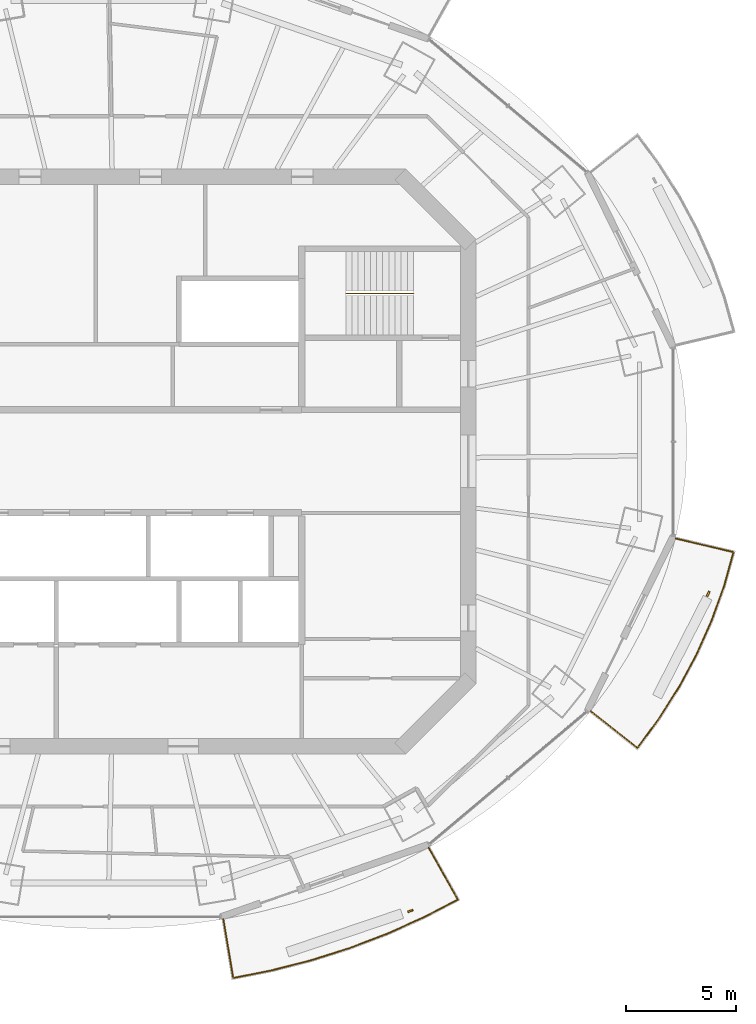
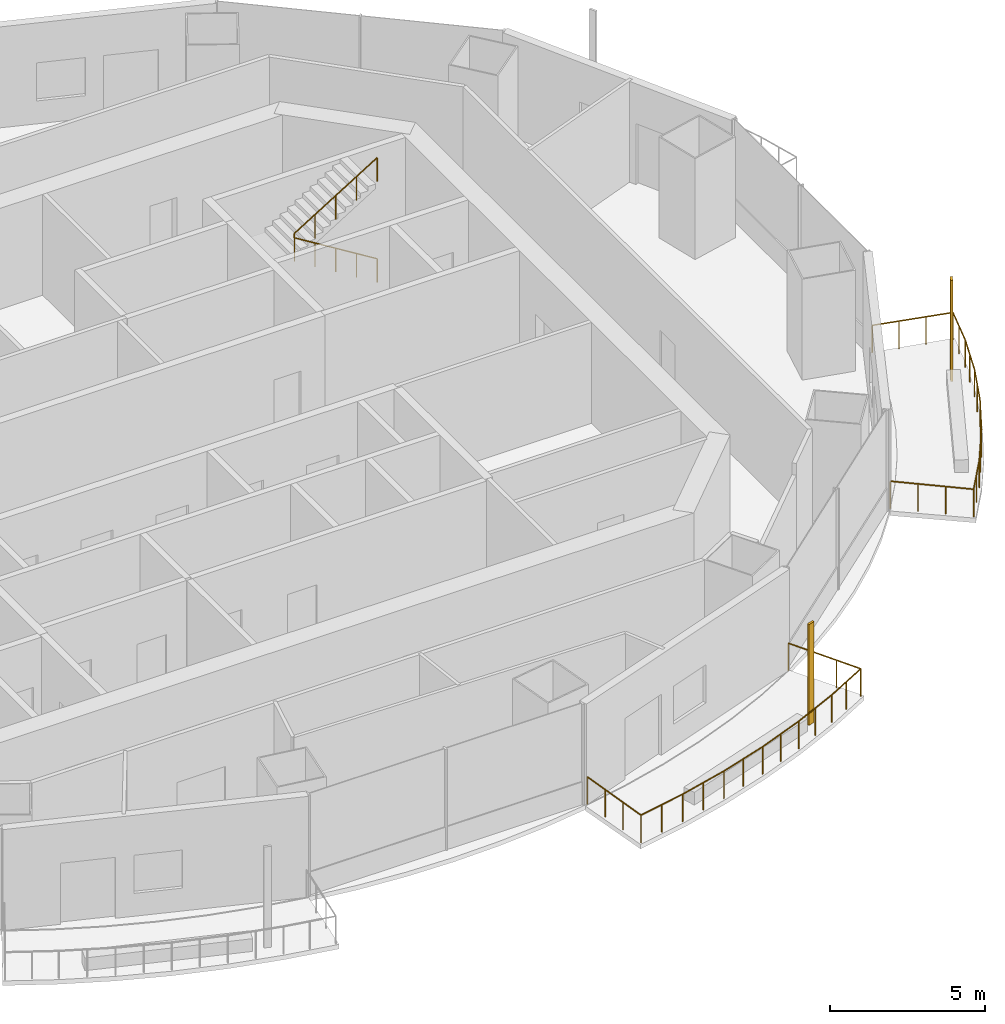
# One storey, part 13 of 16: 3 railings, 2 shading devices.
"""IFC4 building model written with IfcOpenShell, lengths in metres."""

from ifc_helpers import new_model, si_unit, direction, frame, origin, origin_2d, place, context, subcontext, project, spatial, rectangle, circle, extrude, material, material_profile, profile_set, type_object, element, save


model = new_model("IFC4")

# Units and contexts
model_context = context("Model", 3, precision=1e-05, world=origin(), true_north=direction((0.0, 1.0)))
body_context = subcontext(model_context, "Body", "Model", "MODEL_VIEW")
ifc_project = project(units=[si_unit("LENGTHUNIT", "METRE"), si_unit("AREAUNIT", "SQUARE_METRE"), si_unit("VOLUMEUNIT", "CUBIC_METRE"), si_unit("PLANEANGLEUNIT", "RADIAN"), si_unit("MASSUNIT", "GRAM", prefix="KILO")], contexts=[model_context])

# Site, building, storey
site_placement = place(None, origin())
site = spatial("IfcSite", under=ifc_project, at=site_placement, CompositionType="ELEMENT")
building_placement = place(site_placement, origin())
building = spatial("IfcBuilding", under=site, at=building_placement, Name="Marenthal Gate Tower", CompositionType="ELEMENT")
storey_placement = place(building_placement, frame((0.0, 0.0, 363.35009765625)))
storey = spatial("IfcBuildingStorey", under=building, at=storey_placement, Name="L82", CompositionType="ELEMENT", Elevation=363.35009765625)

# Railings
ifc_material_1 = material(Name="Stainless steel", Category="steel")
railing_type_1 = type_object("IfcRailingType", Name="Balcony guard 1100", PredefinedType="GUARDRAIL", material=ifc_material_1)
railing_1_placement = place(storey_placement, frame((14.18896484375, -17.62353515625, 0.0)))
element("IfcRailing", 1, at=railing_1_placement, inside=storey, type_object=railing_type_1, Name="Balcony guard L82 bay 13", PredefinedType="GUARDRAIL", context=body_context, shape_type="SweptSolid", body=[
    extrude(circle(Radius=0.02392578125, at=origin_2d()), frame((0.0, 0.0, 1.076171875), z_axis=(0.490915294113, -0.871082969774, -0.014718484138), x_axis=(0.871177338103, 0.490968477171, 0.0)), (0.0, 0.0, 1.0), 2.72021484375),
    extrude(circle(Radius=0.02392578125, at=origin_2d()), frame((1.33544921875, -2.36962890625, 1.0361328125), z_axis=(-0.886366910687, -0.462983476637, 0.0), x_axis=(0.462983476637, -0.886366910687, 0.0)), (0.0, 0.0, 1.0), 1.738525390625),
    extrude(circle(Radius=0.02392578125, at=origin_2d()), frame((-0.20556640625, -3.174560546875, 1.0361328125), z_axis=(-0.911781695063, -0.410675225146, 0.0), x_axis=(0.410675225146, -0.911781695063, 0.0)), (0.0, 0.0, 1.0), 1.830322265625),
    extrude(circle(Radius=0.02392578125, at=origin_2d()), frame((-1.87451171875, -3.92626953125, 1.0361328125), z_axis=(-0.934231239104, -0.35666790139, 0.0), x_axis=(0.35666790139, -0.934231239104, 0.0)), (0.0, 0.0, 1.0), 1.84130859375),
    extrude(circle(Radius=0.02392578125, at=origin_2d()), frame((-3.5947265625, -4.5830078125, 1.0361328125), z_axis=(-0.953211172176, -0.30230524514, 0.0), x_axis=(0.30230524514, -0.953211172176, 0.0)), (0.0, 0.0, 1.0), 1.85107421875),
    extrude(circle(Radius=0.02392578125, at=origin_2d()), frame((-5.359130859375, -5.142578125, 1.0361328125), z_axis=(-0.968846683281, -0.247661269269, 0.0), x_axis=(0.247661269269, -0.968846683281, 0.0)), (0.0, 0.0, 1.0), 1.859130859375),
    extrude(circle(Radius=0.02392578125, at=origin_2d()), frame((-7.160400390625, -5.60302734375, 1.0361328125), z_axis=(-0.981009399429, -0.193960197546, 0.0), x_axis=(0.193960197546, -0.981009399429, 0.0)), (0.0, 0.0, 1.0), 1.7861328125),
    extrude(circle(Radius=0.02392578125, at=origin_2d()), frame((-8.91259765625, -5.949462890625, 1.0361328125), z_axis=(-0.165414456926, 0.986114290962, 0.01471946334), x_axis=(-0.986221135368, -0.165432379401, 0.0)), (0.0, 0.0, 1.0), 2.72021484375),
    extrude(circle(Radius=0.02099609375, at=origin_2d()), origin(), (0.0, 0.0, 1.0), 1.052001953125),
    extrude(circle(Radius=0.02099609375, at=origin_2d()), frame((0.445068359375, -0.789794921875, -0.013427734375)), (0.0, 0.0, 1.0), 1.052001953125),
    extrude(circle(Radius=0.02099609375, at=origin_2d()), frame((0.890380859375, -1.579833984375, -0.026611328125)), (0.0, 0.0, 1.0), 1.052001953125),
    extrude(circle(Radius=0.02099609375, at=origin_2d()), frame((1.33544921875, -2.36962890625, -0.0400390625)), (0.0, 0.0, 1.0), 1.052001953125),
    extrude(circle(Radius=0.02099609375, at=origin_2d()), frame((0.56494140625, -2.77197265625, -0.0400390625)), (0.0, 0.0, 1.0), 1.052001953125),
    extrude(circle(Radius=0.02099609375, at=origin_2d()), frame((-0.20556640625, -3.174560546875, -0.0400390625)), (0.0, 0.0, 1.0), 1.052001953125),
    extrude(circle(Radius=0.02099609375, at=origin_2d()), frame((-1.0400390625, -3.55029296875, -0.0400390625)), (0.0, 0.0, 1.0), 1.052001953125),
    extrude(circle(Radius=0.02099609375, at=origin_2d()), frame((-1.87451171875, -3.92626953125, -0.0400390625)), (0.0, 0.0, 1.0), 1.052001953125),
    extrude(circle(Radius=0.02099609375, at=origin_2d()), frame((-2.734619140625, -4.254638671875, -0.0400390625)), (0.0, 0.0, 1.0), 1.052001953125),
    extrude(circle(Radius=0.02099609375, at=origin_2d()), frame((-3.5947265625, -4.5830078125, -0.0400390625)), (0.0, 0.0, 1.0), 1.052001953125),
    extrude(circle(Radius=0.02099609375, at=origin_2d()), frame((-4.47705078125, -4.86279296875, -0.0400390625)), (0.0, 0.0, 1.0), 1.052001953125),
    extrude(circle(Radius=0.02099609375, at=origin_2d()), frame((-5.359130859375, -5.142578125, -0.0400390625)), (0.0, 0.0, 1.0), 1.052001953125),
    extrude(circle(Radius=0.02099609375, at=origin_2d()), frame((-6.259765625, -5.372802734375, -0.0400390625)), (0.0, 0.0, 1.0), 1.052001953125),
    extrude(circle(Radius=0.02099609375, at=origin_2d()), frame((-7.160400390625, -5.60302734375, -0.0400390625)), (0.0, 0.0, 1.0), 1.052001953125),
    extrude(circle(Radius=0.02099609375, at=origin_2d()), frame((-8.03662109375, -5.7763671875, -0.0400390625)), (0.0, 0.0, 1.0), 1.052001953125),
    extrude(circle(Radius=0.02099609375, at=origin_2d()), frame((-8.91259765625, -5.949462890625, -0.0400390625)), (0.0, 0.0, 1.0), 1.052001953125),
    extrude(circle(Radius=0.02099609375, at=origin_2d()), frame((-9.0625, -5.055419921875, -0.026611328125)), (0.0, 0.0, 1.0), 1.052001953125),
    extrude(circle(Radius=0.02099609375, at=origin_2d()), frame((-9.212646484375, -4.1611328125, -0.013427734375)), (0.0, 0.0, 1.0), 1.052001953125),
    extrude(circle(Radius=0.02099609375, at=origin_2d()), frame((-9.362548828125, -3.26708984375, 0.0)), (0.0, 0.0, 1.0), 1.052001953125),
])
railing_2_placement = place(storey_placement, frame((25.459716796875, -3.514892578125, 0.0)))
element("IfcRailing", 2, at=railing_2_placement, inside=storey, type_object=railing_type_1, Name="Balcony guard L82 bay 15", PredefinedType="GUARDRAIL", context=body_context, shape_type="SweptSolid", body=[
    extrude(circle(Radius=0.02392578125, at=origin_2d()), frame((0.0, 0.0, 1.076171875), z_axis=(0.973197410229, -0.229499748958, -0.014719577172), x_axis=(0.22952461539, 0.973302856736, 0.0)), (0.0, 0.0, 1.0), 2.72021484375),
    extrude(circle(Radius=0.02392578125, at=origin_2d()), frame((2.647216796875, -0.624267578125, 1.0361328125), z_axis=(-0.268353564757, -0.963320488873, 0.0), x_axis=(0.963320488873, -0.268353564757, 0.0)), (0.0, 0.0, 1.0), 1.5966796875),
    extrude(circle(Radius=0.02392578125, at=origin_2d()), frame((2.21875, -2.162353515625, 1.0361328125), z_axis=(-0.338714333793, -0.940889260266, 0.0), x_axis=(0.940889260266, -0.338714333793, 0.0)), (0.0, 0.0, 1.0), 1.683837890625),
    extrude(circle(Radius=0.02392578125, at=origin_2d()), frame((1.6484375, -3.74658203125, 1.0361328125), z_axis=(-0.407771151083, -0.913084162793, 0.0), x_axis=(0.913084162793, -0.407771151083, 0.0)), (0.0, 0.0, 1.0), 1.69189453125),
    extrude(circle(Radius=0.02392578125, at=origin_2d()), frame((0.95849609375, -5.29150390625, 1.0361328125), z_axis=(-0.473637855675, -0.88071969529, 0.0), x_axis=(0.88071969529, -0.473637855675, 0.0)), (0.0, 0.0, 1.0), 1.7021484375),
    extrude(circle(Radius=0.02392578125, at=origin_2d()), frame((0.15234375, -6.79052734375, 1.0361328125), z_axis=(-0.535611442073, -0.844464554093, 0.0), x_axis=(0.844464554093, -0.535611442073, 0.0)), (0.0, 0.0, 1.0), 1.712890625),
    extrude(circle(Radius=0.02392578125, at=origin_2d()), frame((-0.76513671875, -8.237060546875, 1.0361328125), z_axis=(-0.59246977966, -0.805592676351, 0.0), x_axis=(0.805592676351, -0.59246977966, 0.0)), (0.0, 0.0, 1.0), 1.64501953125),
    extrude(circle(Radius=0.02392578125, at=origin_2d()), frame((-1.73974609375, -9.562255859375, 1.0361328125), z_axis=(-0.783769769253, 0.620877048402, 0.014718681113), x_axis=(-0.6209443126, -0.783854680824, 0.0)), (0.0, 0.0, 1.0), 2.72021484375),
    extrude(circle(Radius=0.02099609375, at=origin_2d()), origin(), (0.0, 0.0, 1.0), 1.052001953125),
    extrude(circle(Radius=0.02099609375, at=origin_2d()), frame((0.88232421875, -0.2080078125, -0.013427734375)), (0.0, 0.0, 1.0), 1.052001953125),
    extrude(circle(Radius=0.02099609375, at=origin_2d()), frame((1.764892578125, -0.416259765625, -0.026611328125)), (0.0, 0.0, 1.0), 1.052001953125),
    extrude(circle(Radius=0.02099609375, at=origin_2d()), frame((2.647216796875, -0.624267578125, -0.0400390625)), (0.0, 0.0, 1.0), 1.052001953125),
    extrude(circle(Radius=0.02099609375, at=origin_2d()), frame((2.43310546875, -1.393310546875, -0.0400390625)), (0.0, 0.0, 1.0), 1.052001953125),
    extrude(circle(Radius=0.02099609375, at=origin_2d()), frame((2.21875, -2.162353515625, -0.0400390625)), (0.0, 0.0, 1.0), 1.052001953125),
    extrude(circle(Radius=0.02099609375, at=origin_2d()), frame((1.93359375, -2.95458984375, -0.0400390625)), (0.0, 0.0, 1.0), 1.052001953125),
    extrude(circle(Radius=0.02099609375, at=origin_2d()), frame((1.6484375, -3.74658203125, -0.0400390625)), (0.0, 0.0, 1.0), 1.052001953125),
    extrude(circle(Radius=0.02099609375, at=origin_2d()), frame((1.303466796875, -4.51904296875, -0.0400390625)), (0.0, 0.0, 1.0), 1.052001953125),
    extrude(circle(Radius=0.02099609375, at=origin_2d()), frame((0.95849609375, -5.29150390625, -0.0400390625)), (0.0, 0.0, 1.0), 1.052001953125),
    extrude(circle(Radius=0.02099609375, at=origin_2d()), frame((0.555419921875, -6.041015625, -0.0400390625)), (0.0, 0.0, 1.0), 1.052001953125),
    extrude(circle(Radius=0.02099609375, at=origin_2d()), frame((0.15234375, -6.79052734375, -0.0400390625)), (0.0, 0.0, 1.0), 1.052001953125),
    extrude(circle(Radius=0.02099609375, at=origin_2d()), frame((-0.306396484375, -7.513671875, -0.0400390625)), (0.0, 0.0, 1.0), 1.052001953125),
    extrude(circle(Radius=0.02099609375, at=origin_2d()), frame((-0.76513671875, -8.237060546875, -0.0400390625)), (0.0, 0.0, 1.0), 1.052001953125),
    extrude(circle(Radius=0.02099609375, at=origin_2d()), frame((-1.25244140625, -8.899658203125, -0.0400390625)), (0.0, 0.0, 1.0), 1.052001953125),
    extrude(circle(Radius=0.02099609375, at=origin_2d()), frame((-1.73974609375, -9.562255859375, -0.0400390625)), (0.0, 0.0, 1.0), 1.052001953125),
    extrude(circle(Radius=0.02099609375, at=origin_2d()), frame((-2.450439453125, -8.999267578125, -0.026611328125)), (0.0, 0.0, 1.0), 1.052001953125),
    extrude(circle(Radius=0.02099609375, at=origin_2d()), frame((-3.1611328125, -8.436279296875, -0.013427734375)), (0.0, 0.0, 1.0), 1.052001953125),
    extrude(circle(Radius=0.02099609375, at=origin_2d()), frame((-3.871826171875, -7.873291015625, 0.0)), (0.0, 0.0, 1.0), 1.052001953125),
])
ifc_material_2 = material(Name="Stainless steel", Category="steel")
railing_type_2 = type_object("IfcRailingType", Name="Stair handrail", PredefinedType="HANDRAIL", material=ifc_material_2)
railing_3_placement = place(storey_placement, frame((13.5, 7.675048828125, 0.1728515625)))
element("IfcRailing", 3, at=railing_3_placement, inside=storey, type_object=railing_type_2, Name="Handrail ST3", PredefinedType="HANDRAIL", context=body_context, shape_type="SweptSolid", body=[
    extrude(circle(Radius=0.0224609375, at=origin_2d()), frame((0.0, 0.0, 0.927490234375), z_axis=(-0.850835241893, 0.0, 0.525432575268), x_axis=(0.0, -1.0, 0.0)), (0.0, 0.0, 1.0), 3.6201171875),
    extrude(circle(Radius=0.0224609375, at=origin_2d()), frame((-3.080078125, 0.0, 2.82958984375), z_axis=(0.0, 0.0, 1.0), x_axis=(1.0, 0.0, 0.0)), (0.0, 0.0, 1.0), 0.1728515625),
    extrude(circle(Radius=0.0224609375, at=origin_2d()), frame((-3.080078125, 0.0, 3.00244140625), z_axis=(0.850835241893, 0.0, 0.525432575268), x_axis=(0.0, 1.0, 0.0)), (0.0, 0.0, 1.0), 3.6201171875),
    extrude(circle(Radius=0.02001953125, at=origin_2d()), origin(), (0.0, 0.0, 1.0), 0.905029296875),
    extrude(circle(Radius=0.02001953125, at=origin_2d()), frame((-0.77001953125, 0.0, 0.4755859375)), (0.0, 0.0, 1.0), 0.905029296875),
    extrude(circle(Radius=0.02001953125, at=origin_2d()), frame((-1.5400390625, 0.0, 0.951171875)), (0.0, 0.0, 1.0), 0.905029296875),
    extrude(circle(Radius=0.02001953125, at=origin_2d()), frame((-2.31005859375, 0.0, 1.426513671875)), (0.0, 0.0, 1.0), 0.905029296875),
    extrude(circle(Radius=0.02001953125, at=origin_2d()), frame((-3.080078125, 0.0, 1.902099609375)), (0.0, 0.0, 1.0), 0.905029296875),
    extrude(circle(Radius=0.02001953125, at=origin_2d()), frame((-3.080078125, 0.0, 2.074951171875)), (0.0, 0.0, 1.0), 0.905029296875),
    extrude(circle(Radius=0.02001953125, at=origin_2d()), frame((-2.31005859375, 0.0, 2.550537109375)), (0.0, 0.0, 1.0), 0.905029296875),
    extrude(circle(Radius=0.02001953125, at=origin_2d()), frame((-1.5400390625, 0.0, 3.02587890625)), (0.0, 0.0, 1.0), 0.905029296875),
    extrude(circle(Radius=0.02001953125, at=origin_2d()), frame((-0.77001953125, 0.0, 3.50146484375)), (0.0, 0.0, 1.0), 0.905029296875),
    extrude(circle(Radius=0.02001953125, at=origin_2d()), frame((0.0, 0.0, 3.97705078125)), (0.0, 0.0, 1.0), 0.905029296875),
])

# Shading devices
ifc_material_3 = material(Name="Terracotta", Category="masonry")
ifc_material_profile = material_profile(ifc_material_3, rectangle(XDim=0.25, YDim=0.080078125, at=origin_2d()), Name="Terracotta baguette 250x80")
ifc_profile_set = profile_set([ifc_material_profile], Name="Terracotta")
shading_device_type = type_object("IfcShadingDeviceType", Name="Terracotta BAGUETTE SCREEN 250x80", PredefinedType="USERDEFINED", material=ifc_profile_set)
for number, where, z_axis, x_axis, name in (
    (4, (13.36181640625, -20.5146484375, -0.0400390625), (0.0, 0.0, 1.0), (0.944118156364, 0.329607200807, 0.0), "Terracotta BAGUETTE L82 bay 13R"),
    (5, (26.953857421875, -6.040771484375, -0.0400390625), (0.0, 0.0, 1.0), (0.441063469926, 0.897475913603, 0.0), "Terracotta BAGUETTE L82 bay 15R"),
):
    element("IfcShadingDevice", number, at=place(storey_placement, frame(where, z_axis=z_axis, x_axis=x_axis)), inside=storey, type_object=shading_device_type, Name=name, ObjectType="BAGUETTE SCREEN", PredefinedType="USERDEFINED", context=body_context, shape_type="SweptSolid", body=[
        extrude(rectangle(XDim=0.25, YDim=0.080078125, at=origin_2d()), origin(), (0.0, 0.0, 1.0), 3.969970703125),
    ])

save(model, "model.ifc")
